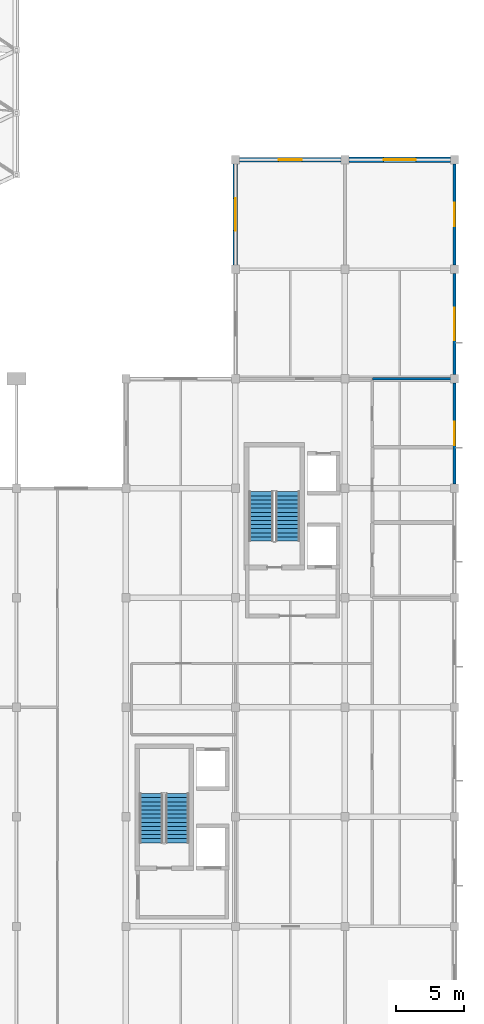
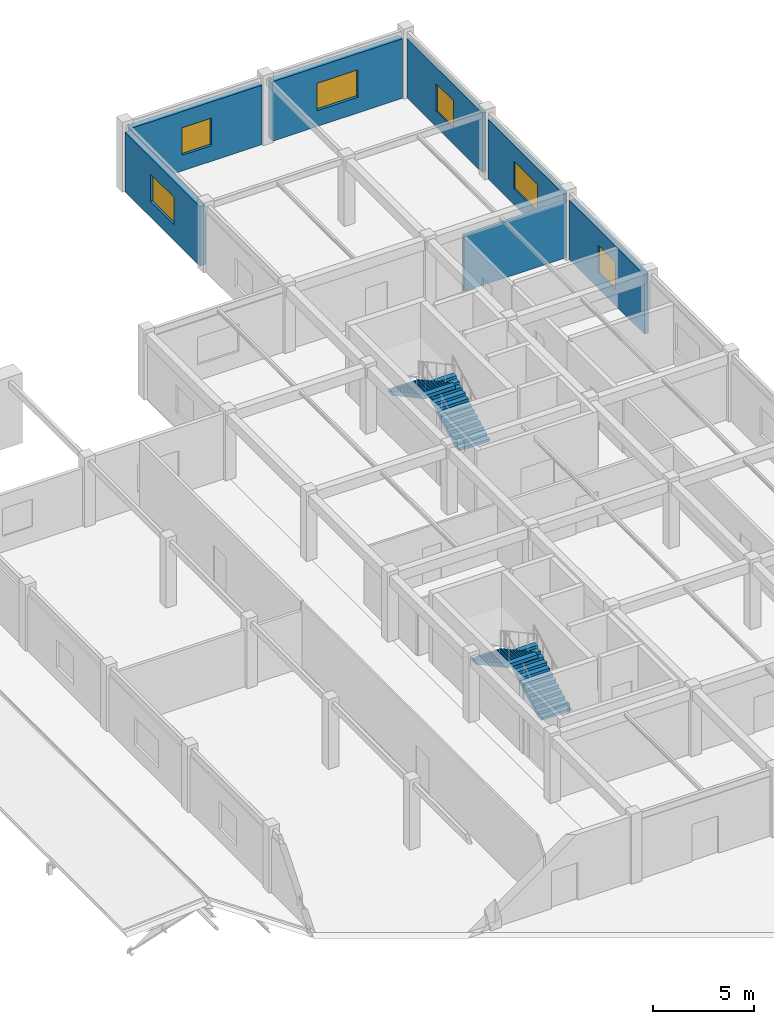
# One storey, part 18 of 27: 7 walls, 6 windows, 4 stair flights, 6 openings, 2 elements without a shape of their own.
"""IFC4 building model written with IfcOpenShell, lengths in metres."""

from ifc_helpers import new_model, si_unit, direction, frame, frame_2d, origin, place, context, subcontext, project, spatial, polyline, rectangle, outline, extrude, material, layer, layer_set, type_object, element, fill, aggregate, save


model = new_model("IFC4")

# Units and contexts
model_context = context("Model", 3, precision=1e-05, world=origin(), true_north=direction((0.0, 1.0)))
body_context = subcontext(model_context, "Body", "Model", "MODEL_VIEW")
ifc_project = project(units=[si_unit("LENGTHUNIT", "METRE"), si_unit("AREAUNIT", "SQUARE_METRE"), si_unit("VOLUMEUNIT", "CUBIC_METRE"), si_unit("PLANEANGLEUNIT", "RADIAN"), si_unit("MASSUNIT", "GRAM", prefix="KILO")], contexts=[model_context])

# Site, building, storey
site_placement = place(None, origin())
site = spatial("IfcSite", under=ifc_project, at=site_placement, CompositionType="ELEMENT")
building_placement = place(site_placement, origin())
building = spatial("IfcBuilding", under=site, at=building_placement, Name="Kenh Van Central Station", CompositionType="ELEMENT")
storey_placement = place(building_placement, frame((0.0, 0.0, 19.199951171875)))
storey = spatial("IfcBuildingStorey", under=building, at=storey_placement, Name="L04", CompositionType="ELEMENT", Elevation=19.199951171875)

# Wall, opening, window
ifc_material_1 = material(Name="Saigon buff sandstone and terracotta masonry", Category="masonry")
ifc_layer_1 = layer(ifc_material_1, 0.330078125, Name="Saigon buff sandstone and terracotta masonry")
ifc_layer_set_1 = layer_set([ifc_layer_1], Name="Saigon buff sandstone and terracotta masonry")
wall_type_1 = type_object("IfcWallType", Name="WL-EXT-330", PredefinedType="STANDARD", material=ifc_layer_set_1)
wall_1_placement = place(storey_placement, frame((160.0, 79.699951171875, 0.0), z_axis=(0.0, 0.0, 1.0), x_axis=(0.0, -1.0, 0.0)))
wall_1 = element("IfcWall", 1, at=wall_1_placement, inside=storey, type_object=wall_type_1, Name="L04 exterior wall 146", PredefinedType="STANDARD", context=body_context, shape_type="SweptSolid", body=[
    extrude(rectangle(XDim=7.39990234375, YDim=0.330078125, at=frame_2d((3.699951171875, 0.0))), origin(), (0.0, 0.0, 1.0), 3.580078125),
])
opening_1_placement = place(wall_1_placement, frame((2.52490234375, 0.0, 0.949951171875)))
opening_1 = element("IfcOpeningElement", 2, at=opening_1_placement, cuts=wall_1, Name="Opening WN-20", PredefinedType="OPENING", context=body_context, shape_type="SweptSolid", body=[
    extrude(rectangle(XDim=2.35009765625, YDim=1.64990234375, at=frame_2d((1.175048828125, 0.824951171875))), frame((0.0, 0.175048828125, 0.0), z_axis=(0.0, -1.0, 0.0), x_axis=(1.0, 0.0, 0.0)), (0.0, 0.0, 1.0), 0.35009765625),
])
ifc_material_2 = material(Name="Double-glazed low-E laminated solar glass", Category="glass")
window_type_1 = type_object("IfcWindowType", Name="WN-OP04-2350x1650", PartitioningType="DOUBLE_PANEL_VERTICAL", PredefinedType="WINDOW", material=ifc_material_2)
window_1_placement = place(opening_1_placement, origin())
window_1 = element("IfcWindow", 3, at=window_1_placement, inside=storey, type_object=window_type_1, Name="L04 window 112", OverallHeight=1.64990234375, OverallWidth=2.35009765625, PartitioningType="SINGLE_PANEL", PredefinedType="WINDOW", context=body_context, shape_type="SweptSolid", body=[
    extrude(rectangle(XDim=2.35009765625, YDim=1.64990234375, at=frame_2d((1.175048828125, 0.824951171875))), frame((0.0, 0.030029296875, 0.0), z_axis=(0.0, -1.0, 0.0), x_axis=(1.0, 0.0, 0.0)), (0.0, 0.0, 1.0), 0.06005859375),
])
fill(opening_1, window_1)

ifc_layer_2 = layer(ifc_material_1, 0.35009765625, Name="Saigon buff sandstone and terracotta masonry")
ifc_layer_set_2 = layer_set([ifc_layer_2], Name="Saigon buff sandstone and terracotta masonry")
wall_type_2 = type_object("IfcWallType", Name="WL-EXT-350", PredefinedType="STANDARD", material=ifc_layer_set_2)
wall_2_placement = place(storey_placement, frame((167.699951171875, 80.0, 0.0), z_axis=(0.0, 0.0, 1.0), x_axis=(-1.0, 0.0, 0.0)))
wall_2 = element("IfcWall", 4, at=wall_2_placement, inside=storey, type_object=wall_type_2, Name="L04 exterior wall 145", PredefinedType="STANDARD", context=body_context, shape_type="SweptSolid", body=[
    extrude(rectangle(XDim=7.39990234375, YDim=0.35009765625, at=frame_2d((3.699951171875, 0.0))), origin(), (0.0, 0.0, 1.0), 3.580078125),
])
opening_2_placement = place(wall_2_placement, frame((2.85009765625, 0.0, 0.949951171875)))
opening_2 = element("IfcOpeningElement", 5, at=opening_2_placement, cuts=wall_2, Name="Opening WN-21", PredefinedType="OPENING", context=body_context, shape_type="SweptSolid", body=[
    extrude(rectangle(XDim=1.699951171875, YDim=1.64990234375, at=frame_2d((0.85009765625, 0.824951171875))), frame((0.0, 0.18505859375, 0.0), z_axis=(0.0, -1.0, 0.0), x_axis=(1.0, 0.0, 0.0)), (0.0, 0.0, 1.0), 0.3701171875),
])
window_type_2 = type_object("IfcWindowType", Name="WN-OP04-1700x1650", PartitioningType="SINGLE_PANEL", PredefinedType="WINDOW", material=ifc_material_2)
window_2_placement = place(opening_2_placement, origin())
window_2 = element("IfcWindow", 6, at=window_2_placement, inside=storey, type_object=window_type_2, Name="L04 window 111", OverallHeight=1.64990234375, OverallWidth=1.699951171875, PartitioningType="SINGLE_PANEL", PredefinedType="WINDOW", context=body_context, shape_type="SweptSolid", body=[
    extrude(rectangle(XDim=1.699951171875, YDim=1.64990234375, at=frame_2d((0.85009765625, 0.824951171875))), frame((0.0, 0.030029296875, 0.0), z_axis=(0.0, -1.0, 0.0), x_axis=(1.0, 0.0, 0.0)), (0.0, 0.0, 1.0), 0.06005859375),
])
fill(opening_2, window_2)

ifc_layer_3 = layer(ifc_material_1, 0.3798828125, Name="Saigon buff sandstone and terracotta masonry")
ifc_layer_set_3 = layer_set([ifc_layer_3], Name="Saigon buff sandstone and terracotta masonry")
wall_type_3 = type_object("IfcWallType", Name="WL-EXT-380", PredefinedType="STANDARD", material=ifc_layer_set_3)
wall_3_placement = place(storey_placement, frame((175.699951171875, 80.0, 0.0), z_axis=(0.0, 0.0, 1.0), x_axis=(-1.0, 0.0, 0.0)))
wall_3 = element("IfcWall", 7, at=wall_3_placement, inside=storey, type_object=wall_type_3, Name="L04 exterior wall 144", PredefinedType="STANDARD", context=body_context, shape_type="SweptSolid", body=[
    extrude(rectangle(XDim=7.39990234375, YDim=0.3798828125, at=frame_2d((3.699951171875, 0.0))), origin(), (0.0, 0.0, 1.0), 3.580078125),
])
opening_3_placement = place(wall_3_placement, frame((2.52490234375, 0.0, 0.949951171875)))
opening_3 = element("IfcOpeningElement", 8, at=opening_3_placement, cuts=wall_3, Name="Opening WN-20", PredefinedType="OPENING", context=body_context, shape_type="SweptSolid", body=[
    extrude(rectangle(XDim=2.35009765625, YDim=1.64990234375, at=frame_2d((1.175048828125, 0.824951171875))), frame((0.0, 0.199951171875, 0.0), z_axis=(0.0, -1.0, 0.0), x_axis=(1.0, 0.0, 0.0)), (0.0, 0.0, 1.0), 0.39990234375),
])
window_3_placement = place(opening_3_placement, origin())
window_3 = element("IfcWindow", 9, at=window_3_placement, inside=storey, type_object=window_type_1, Name="L04 window 110", OverallHeight=1.64990234375, OverallWidth=2.35009765625, PartitioningType="SINGLE_PANEL", PredefinedType="WINDOW", context=body_context, shape_type="SweptSolid", body=[
    extrude(rectangle(XDim=2.35009765625, YDim=1.64990234375, at=frame_2d((1.175048828125, 0.824951171875))), frame((0.0, 0.030029296875, 0.0), z_axis=(0.0, -1.0, 0.0), x_axis=(1.0, 0.0, 0.0)), (0.0, 0.0, 1.0), 0.06005859375),
])
fill(opening_3, window_3)

# Wall
ifc_material_3 = material(Name="Lightweight acoustic masonry blockwork", Category="masonry")
ifc_layer_4 = layer(ifc_material_3, 0.159912109375, Name="Lightweight acoustic masonry blockwork")
ifc_layer_set_4 = layer_set([ifc_layer_4], Name="Lightweight acoustic masonry blockwork")
wall_type_4 = type_object("IfcWallType", Name="WL-PART-160", PredefinedType="PARTITIONING", material=ifc_layer_set_4)
wall_4_placement = place(storey_placement, frame((170.02001953125, 64.0, 0.0), z_axis=(0.0, 0.0, 1.0), x_axis=(1.0, 0.0, 0.0)))
element("IfcWall", 10, at=wall_4_placement, inside=storey, type_object=wall_type_4, Name="L04 interior wall 0204", PredefinedType="PARTITIONING", context=body_context, shape_type="SweptSolid", body=[
    extrude(rectangle(XDim=5.85986328125, YDim=0.159912109375, at=frame_2d((2.929931640625, 0.0))), origin(), (0.0, 0.0, 1.0), 3.3701171875),
])

# Wall, opening, window
ifc_material_4 = material(Name="Glazed terracotta architectural masonry", Category="masonry")
ifc_layer_5 = layer(ifc_material_4, 0.195068359375, Name="Glazed terracotta architectural masonry")
ifc_layer_set_5 = layer_set([ifc_layer_5], Name="Glazed terracotta architectural masonry")
wall_type_5 = type_object("IfcWallType", Name="WL-SLD-195", PredefinedType="SOLIDWALL", material=ifc_layer_set_5)
wall_5_placement = place(storey_placement, frame((176.0, 72.300048828125, 0.0), z_axis=(0.0, 0.0, 1.0), x_axis=(0.0, 1.0, 0.0)))
wall_5 = element("IfcWall", 11, at=wall_5_placement, inside=storey, type_object=wall_type_5, Name="L04 exterior wall 143", PredefinedType="SOLIDWALL", context=body_context, shape_type="SweptSolid", body=[
    extrude(rectangle(XDim=7.39990234375, YDim=0.195068359375, at=frame_2d((3.699951171875, 0.0))), origin(), (0.0, 0.0, 1.0), 3.580078125),
])
opening_4_placement = place(wall_5_placement, frame((2.85009765625, 0.0, 0.949951171875)))
opening_4 = element("IfcOpeningElement", 12, at=opening_4_placement, cuts=wall_5, Name="Opening WN-21", PredefinedType="OPENING", context=body_context, shape_type="SweptSolid", body=[
    extrude(rectangle(XDim=1.699951171875, YDim=1.64990234375, at=frame_2d((0.85009765625, 0.824951171875))), frame((0.0, 0.107421875, 0.0), z_axis=(0.0, -1.0, 0.0), x_axis=(1.0, 0.0, 0.0)), (0.0, 0.0, 1.0), 0.215087890625),
])
window_4_placement = place(opening_4_placement, origin())
window_4 = element("IfcWindow", 13, at=window_4_placement, inside=storey, type_object=window_type_2, Name="L04 window 109", OverallHeight=1.64990234375, OverallWidth=1.699951171875, PartitioningType="SINGLE_PANEL", PredefinedType="WINDOW", context=body_context, shape_type="SweptSolid", body=[
    extrude(rectangle(XDim=1.699951171875, YDim=1.64990234375, at=frame_2d((0.85009765625, 0.824951171875))), frame((0.0, 0.030029296875, 0.0), z_axis=(0.0, -1.0, 0.0), x_axis=(1.0, 0.0, 0.0)), (0.0, 0.0, 1.0), 0.06005859375),
])
fill(opening_4, window_4)

ifc_layer_6 = layer(ifc_material_4, 0.219970703125, Name="Glazed terracotta architectural masonry")
ifc_layer_set_6 = layer_set([ifc_layer_6], Name="Glazed terracotta architectural masonry")
wall_type_6 = type_object("IfcWallType", Name="WL-SLD-220", PredefinedType="SOLIDWALL", material=ifc_layer_set_6)
wall_6_placement = place(storey_placement, frame((176.0, 64.300048828125, 0.0), z_axis=(0.0, 0.0, 1.0), x_axis=(0.0, 1.0, 0.0)))
wall_6 = element("IfcWall", 14, at=wall_6_placement, inside=storey, type_object=wall_type_6, Name="L04 exterior wall 142", PredefinedType="SOLIDWALL", context=body_context, shape_type="SweptSolid", body=[
    extrude(rectangle(XDim=7.39990234375, YDim=0.219970703125, at=frame_2d((3.699951171875, 0.0))), origin(), (0.0, 0.0, 1.0), 3.570068359375),
])
opening_5_placement = place(wall_6_placement, frame((2.52490234375, 0.0, 0.949951171875)))
opening_5 = element("IfcOpeningElement", 15, at=opening_5_placement, cuts=wall_6, Name="Opening WN-20", PredefinedType="OPENING", context=body_context, shape_type="SweptSolid", body=[
    extrude(rectangle(XDim=2.35009765625, YDim=1.64990234375, at=frame_2d((1.175048828125, 0.824951171875))), frame((0.0, 0.119873046875, 0.0), z_axis=(0.0, -1.0, 0.0), x_axis=(1.0, 0.0, 0.0)), (0.0, 0.0, 1.0), 0.239990234375),
])
window_5_placement = place(opening_5_placement, origin())
window_5 = element("IfcWindow", 16, at=window_5_placement, inside=storey, type_object=window_type_1, Name="L04 window 108", OverallHeight=1.64990234375, OverallWidth=2.35009765625, PartitioningType="SINGLE_PANEL", PredefinedType="WINDOW", context=body_context, shape_type="SweptSolid", body=[
    extrude(rectangle(XDim=2.35009765625, YDim=1.64990234375, at=frame_2d((1.175048828125, 0.824951171875))), frame((0.0, 0.030029296875, 0.0), z_axis=(0.0, -1.0, 0.0), x_axis=(1.0, 0.0, 0.0)), (0.0, 0.0, 1.0), 0.06005859375),
])
fill(opening_5, window_5)

ifc_layer_7 = layer(ifc_material_4, 0.239990234375, Name="Glazed terracotta architectural masonry")
ifc_layer_set_7 = layer_set([ifc_layer_7], Name="Glazed terracotta architectural masonry")
wall_type_7 = type_object("IfcWallType", Name="WL-SLD-240", PredefinedType="SOLIDWALL", material=ifc_layer_set_7)
wall_7_placement = place(storey_placement, frame((176.0, 56.300048828125, 0.0), z_axis=(0.0, 0.0, 1.0), x_axis=(0.0, 1.0, 0.0)))
wall_7 = element("IfcWall", 17, at=wall_7_placement, inside=storey, type_object=wall_type_7, Name="L04 exterior wall 141", PredefinedType="SOLIDWALL", context=body_context, shape_type="SweptSolid", body=[
    extrude(rectangle(XDim=7.39990234375, YDim=0.239990234375, at=frame_2d((3.699951171875, 0.0))), origin(), (0.0, 0.0, 1.0), 3.570068359375),
])
opening_6_placement = place(wall_7_placement, frame((2.85009765625, 0.0, 0.949951171875)))
opening_6 = element("IfcOpeningElement", 18, at=opening_6_placement, cuts=wall_7, Name="Opening WN-21", PredefinedType="OPENING", context=body_context, shape_type="SweptSolid", body=[
    extrude(rectangle(XDim=1.699951171875, YDim=1.64990234375, at=frame_2d((0.85009765625, 0.824951171875))), frame((0.0, 0.1298828125, 0.0), z_axis=(0.0, -1.0, 0.0), x_axis=(1.0, 0.0, 0.0)), (0.0, 0.0, 1.0), 0.260009765625),
])
window_6_placement = place(opening_6_placement, origin())
window_6 = element("IfcWindow", 19, at=window_6_placement, inside=storey, type_object=window_type_2, Name="L04 window 107", OverallHeight=1.64990234375, OverallWidth=1.699951171875, PartitioningType="SINGLE_PANEL", PredefinedType="WINDOW", context=body_context, shape_type="SweptSolid", body=[
    extrude(rectangle(XDim=1.699951171875, YDim=1.64990234375, at=frame_2d((0.85009765625, 0.824951171875))), frame((0.0, 0.030029296875, 0.0), z_axis=(0.0, -1.0, 0.0), x_axis=(1.0, 0.0, 0.0)), (0.0, 0.0, 1.0), 0.06005859375),
])
fill(opening_6, window_6)

# Stair, stair flights
ifc_material_5 = material(Name="Concrete C35/45", Category="concrete")
stair_type_1 = type_object("IfcStairType", Name="STR-DLG-1700", PredefinedType="HALF_TURN_STAIR", material=ifc_material_5)
stair_1_placement = place(storey_placement, origin())
stair_1 = element("IfcStair", 20, at=stair_1_placement, inside=storey, type_object=stair_type_1, Name="L04 Operations South Firefighting Core", PredefinedType="HALF_TURN_STAIR")
ifc_layer_8 = layer(ifc_material_5, 0.179931640625, Name="Concrete C35/45")
ifc_layer_set_8 = layer_set([ifc_layer_8], Name="Concrete C35/45")
stair_flight_type_1 = type_object("IfcStairFlightType", Name="FLT-DLG-1700", PredefinedType="STRAIGHT", material=ifc_layer_set_8)
stair_flight_1_placement = place(storey_placement, frame((155.75, 30.10009765625, 0.0), z_axis=(0.0, 0.0, 1.0), x_axis=(0.0, 1.0, 0.0)))
stair_flight_1 = element("IfcStairFlight", 21, at=stair_flight_1_placement, type_object=stair_flight_type_1, Name="ST-09 flight 1", NumberOfRisers=13, NumberOfTreads=12, PredefinedType="STRAIGHT", RiserHeight=0.161538462, TreadLength=0.3, context=body_context, shape_type="SweptSolid", body=[
    extrude(outline(polyline([(0.0, 0.0), (0.0, 0.16162109375), (0.300048828125, 0.16162109375), (0.300048828125, 0.322998046875), (0.60009765625, 0.322998046875), (0.60009765625, 0.484619140625), (0.89990234375, 0.484619140625), (0.89990234375, 0.646240234375), (1.199951171875, 0.646240234375), (1.199951171875, 0.8076171875), (1.5, 0.8076171875), (1.5, 0.96923828125), (1.800048828125, 0.96923828125), (1.800048828125, 1.130859375), (2.10009765625, 1.130859375), (2.10009765625, 1.292236328125), (2.39990234375, 1.292236328125), (2.39990234375, 1.453857421875), (2.699951171875, 1.453857421875), (2.699951171875, 1.615478515625), (3.0, 1.615478515625), (3.0, 1.77685546875), (3.300048828125, 1.77685546875), (3.300048828125, 1.9384765625), (3.60009765625, 1.9384765625), (3.60009765625, 2.10009765625), (3.60009765625, 1.734130859375), (0.379638671875, 0.0), (0.0, 0.0)])), frame((0.0, 0.85009765625, 0.0), z_axis=(0.0, -1.0, 0.0), x_axis=(1.0, 0.0, 0.0)), (0.0, 0.0, 1.0), 1.699951171875),
])
stair_flight_2_placement = place(storey_placement, frame((153.85009765625, 33.699951171875, 2.10009765625), z_axis=(0.0, 0.0, 1.0), x_axis=(0.0, -1.0, 0.0)))
stair_flight_2 = element("IfcStairFlight", 22, at=stair_flight_2_placement, type_object=stair_flight_type_1, Name="ST-09 flight 2", NumberOfRisers=13, NumberOfTreads=12, PredefinedType="STRAIGHT", RiserHeight=0.161538462, TreadLength=0.3, context=body_context, shape_type="SweptSolid", body=[
    extrude(outline(polyline([(0.0, 0.0), (0.0, 0.16162109375), (0.300048828125, 0.16162109375), (0.300048828125, 0.322998046875), (0.60009765625, 0.322998046875), (0.60009765625, 0.484619140625), (0.89990234375, 0.484619140625), (0.89990234375, 0.646240234375), (1.199951171875, 0.646240234375), (1.199951171875, 0.8076171875), (1.5, 0.8076171875), (1.5, 0.96923828125), (1.800048828125, 0.96923828125), (1.800048828125, 1.130859375), (2.10009765625, 1.130859375), (2.10009765625, 1.292236328125), (2.39990234375, 1.292236328125), (2.39990234375, 1.453857421875), (2.699951171875, 1.453857421875), (2.699951171875, 1.615478515625), (3.0, 1.615478515625), (3.0, 1.77685546875), (3.300048828125, 1.77685546875), (3.300048828125, 1.9384765625), (3.60009765625, 1.9384765625), (3.60009765625, 2.10009765625), (3.60009765625, 1.734130859375), (0.379638671875, 0.0), (0.0, 0.0)])), frame((0.0, 0.85009765625, 0.0), z_axis=(0.0, -1.0, 0.0), x_axis=(1.0, 0.0, 0.0)), (0.0, 0.0, 1.0), 1.699951171875),
])
aggregate(stair_1, [stair_flight_1, stair_flight_2])

stair_type_2 = type_object("IfcStairType", Name="STR-DLG-1750", PredefinedType="HALF_TURN_STAIR", material=ifc_material_5)
stair_2_placement = place(storey_placement, origin())
stair_2 = element("IfcStair", 23, at=stair_2_placement, inside=storey, type_object=stair_type_2, Name="L04 Operations North Firefighting and Goods Core", PredefinedType="HALF_TURN_STAIR")
ifc_layer_9 = layer(ifc_material_5, 0.179931640625, Name="Concrete C35/45")
ifc_layer_set_9 = layer_set([ifc_layer_9], Name="Concrete C35/45")
stair_flight_type_2 = type_object("IfcStairFlightType", Name="FLT-DLG-1750", PredefinedType="STRAIGHT", material=ifc_layer_set_9)
stair_flight_3_placement = place(storey_placement, frame((163.824951171875, 52.14990234375, 0.0), z_axis=(0.0, 0.0, 1.0), x_axis=(0.0, 1.0, 0.0)))
stair_flight_3 = element("IfcStairFlight", 24, at=stair_flight_3_placement, type_object=stair_flight_type_2, Name="ST-10 flight 1", NumberOfRisers=13, NumberOfTreads=12, PredefinedType="STRAIGHT", RiserHeight=0.161538462, TreadLength=0.3, context=body_context, shape_type="SweptSolid", body=[
    extrude(outline(polyline([(0.0, 0.0), (0.0, 0.16162109375), (0.300048828125, 0.16162109375), (0.300048828125, 0.322998046875), (0.60009765625, 0.322998046875), (0.60009765625, 0.484619140625), (0.89990234375, 0.484619140625), (0.89990234375, 0.646240234375), (1.199951171875, 0.646240234375), (1.199951171875, 0.8076171875), (1.5, 0.8076171875), (1.5, 0.96923828125), (1.800048828125, 0.96923828125), (1.800048828125, 1.130859375), (2.10009765625, 1.130859375), (2.10009765625, 1.292236328125), (2.39990234375, 1.292236328125), (2.39990234375, 1.453857421875), (2.699951171875, 1.453857421875), (2.699951171875, 1.615478515625), (3.0, 1.615478515625), (3.0, 1.77685546875), (3.300048828125, 1.77685546875), (3.300048828125, 1.9384765625), (3.60009765625, 1.9384765625), (3.60009765625, 2.10009765625), (3.60009765625, 1.734130859375), (0.379638671875, 0.0), (0.0, 0.0)])), frame((0.0, 0.875, 0.0), z_axis=(0.0, -1.0, 0.0), x_axis=(1.0, 0.0, 0.0)), (0.0, 0.0, 1.0), 1.75),
])
stair_flight_4_placement = place(storey_placement, frame((161.875, 55.75, 2.10009765625), z_axis=(0.0, 0.0, 1.0), x_axis=(0.0, -1.0, 0.0)))
stair_flight_4 = element("IfcStairFlight", 25, at=stair_flight_4_placement, type_object=stair_flight_type_2, Name="ST-10 flight 2", NumberOfRisers=13, NumberOfTreads=12, PredefinedType="STRAIGHT", RiserHeight=0.161538462, TreadLength=0.3, context=body_context, shape_type="SweptSolid", body=[
    extrude(outline(polyline([(0.0, 0.0), (0.0, 0.16162109375), (0.300048828125, 0.16162109375), (0.300048828125, 0.322998046875), (0.60009765625, 0.322998046875), (0.60009765625, 0.484619140625), (0.89990234375, 0.484619140625), (0.89990234375, 0.646240234375), (1.199951171875, 0.646240234375), (1.199951171875, 0.8076171875), (1.5, 0.8076171875), (1.5, 0.96923828125), (1.800048828125, 0.96923828125), (1.800048828125, 1.130859375), (2.10009765625, 1.130859375), (2.10009765625, 1.292236328125), (2.39990234375, 1.292236328125), (2.39990234375, 1.453857421875), (2.699951171875, 1.453857421875), (2.699951171875, 1.615478515625), (3.0, 1.615478515625), (3.0, 1.77685546875), (3.300048828125, 1.77685546875), (3.300048828125, 1.9384765625), (3.60009765625, 1.9384765625), (3.60009765625, 2.10009765625), (3.60009765625, 1.734130859375), (0.379638671875, 0.0), (0.0, 0.0)])), frame((0.0, 0.875, 0.0), z_axis=(0.0, -1.0, 0.0), x_axis=(1.0, 0.0, 0.0)), (0.0, 0.0, 1.0), 1.75),
])
aggregate(stair_2, [stair_flight_3, stair_flight_4])

save(model, "model.ifc")
